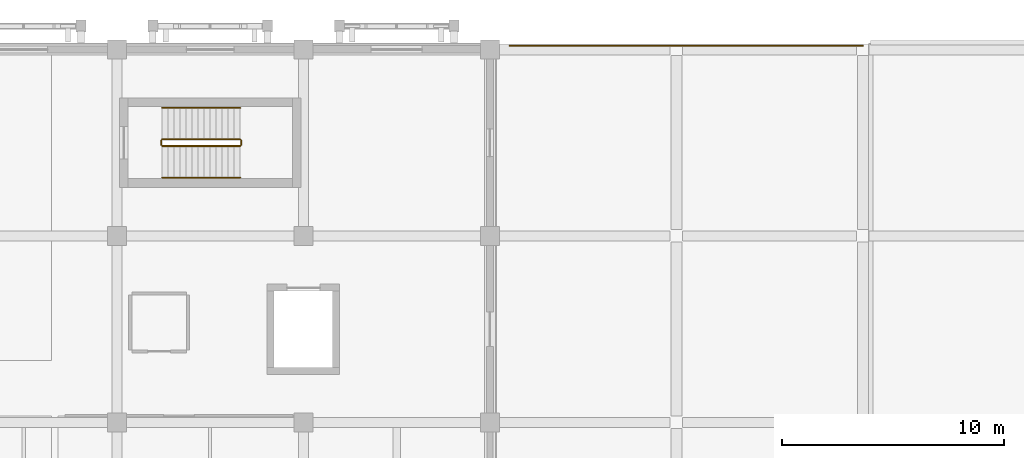
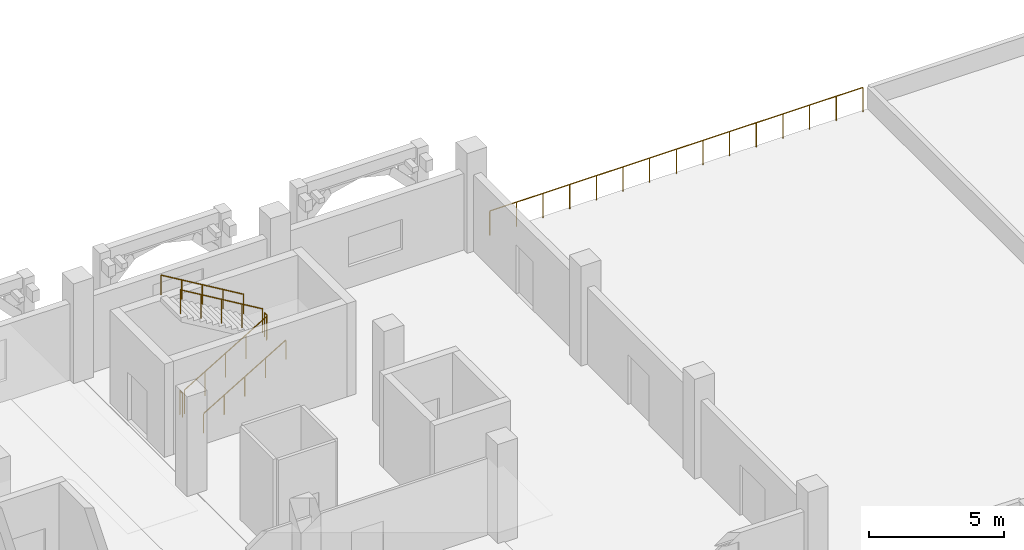
# One storey, part 127 of 129: 7 railings.
"""IFC4 building model written with IfcOpenShell, lengths in metres."""

import ifcopenshell
import ifcopenshell.guid

model = None  # the IFC model being written
_history = None  # IfcOwnerHistory: only IFC2X3 demands one
_inside = {}  # id of a spatial element -> (the spatial element, [elements in it])
_under = {}  # id of a project, library or spatial element -> (it, [spatial elements below it])
_declared = {}  # id of a project -> (the project, [libraries it declares])
_typed = {}  # id of a type object -> (the type object, [elements of that type])
_made_of = {}  # id of a material, layer set ... -> (it, [elements and type objects made of it])


def new_model(schema):
    """Start an empty IFC model of exactly this schema.

    Asked for "IFC4X3", IfcOpenShell would pick the latest addendum, in which some entities
    have other attributes; the version numbers below select the first issue.
    IFC2X3 requires an IfcOwnerHistory on every rooted entity: one is made here for all.
    """
    global model, _history
    if schema == "IFC4X3":
        model = ifcopenshell.file(schema_version=(4, 3, 0, 0))
    else:
        model = ifcopenshell.file(schema=schema)
    _inside.clear()
    _under.clear()
    _declared.clear()
    _typed.clear()
    _made_of.clear()
    _history = None
    if model.schema == "IFC2X3":
        org = make("IfcOrganization", Name="unknown")
        user = make(
            "IfcPersonAndOrganization",
            ThePerson=make("IfcPerson", FamilyName="unknown"),
            TheOrganization=org,
        )
        app = make(
            "IfcApplication",
            ApplicationDeveloper=org,
            Version="unknown",
            ApplicationFullName="unknown",
            ApplicationIdentifier="unknown",
        )
        _history = make(
            "IfcOwnerHistory",
            OwningUser=user,
            OwningApplication=app,
            ChangeAction="ADDED",
            CreationDate=0,
        )
    return model


def make(cls, **values):
    """One entity of the class cls with the attributes given. An attribute that is None is left unset."""
    return model.create_entity(
        cls, **{name: value for name, value in values.items() if value is not None}
    )


def rooted(cls, **values):
    """An entity with a GlobalId (a new one), such as an element, a storey or a relation."""
    return make(cls, GlobalId=ifcopenshell.guid.new(), OwnerHistory=_history, **values)


def si_unit(unit_type, name, prefix=None):
    """IfcSIUnit, for example si_unit("LENGTHUNIT", "METRE", prefix="MILLI")."""
    return make("IfcSIUnit", UnitType=unit_type, Prefix=prefix, Name=name)


def assignment(units):
    """IfcUnitAssignment: the units of a project."""
    return None if units is None else make("IfcUnitAssignment", Units=units)


def point(xyz):
    """IfcCartesianPoint."""
    return None if xyz is None else make("IfcCartesianPoint", Coordinates=xyz)


def direction(xyz):
    """IfcDirection."""
    return None if xyz is None else make("IfcDirection", DirectionRatios=xyz)


def frame(location, z_axis=None, x_axis=None):
    """IfcAxis2Placement3D, a coordinate frame: its origin and axes. An axis left out is left unset."""
    return make(
        "IfcAxis2Placement3D",
        Location=point(location),
        Axis=direction(z_axis),
        RefDirection=direction(x_axis),
    )


def frame_2d(location, x_axis=None):
    """IfcAxis2Placement2D, a coordinate frame in the plane: its origin and x axis."""
    return make(
        "IfcAxis2Placement2D", Location=point(location), RefDirection=direction(x_axis)
    )


def origin():
    """The frame at (0, 0, 0) with its axes left unset."""
    return frame((0.0, 0.0, 0.0))


def origin_2d():
    """The frame at (0, 0) in the plane with its x axis left unset."""
    return frame_2d((0.0, 0.0))


def place(relative_to, where):
    """IfcLocalPlacement: puts the frame where relative to a parent placement (None: the world)."""
    return make(
        "IfcLocalPlacement", PlacementRelTo=relative_to, RelativePlacement=where
    )


def context(
    kind, dimensions, precision=None, world=None, true_north=None, identifier=None
):
    """IfcGeometricRepresentationContext, for example the 3D "Model" context."""
    return make(
        "IfcGeometricRepresentationContext",
        ContextIdentifier=identifier,
        ContextType=kind,
        CoordinateSpaceDimension=dimensions,
        Precision=precision,
        WorldCoordinateSystem=world,
        TrueNorth=true_north,
    )


def subcontext(parent, identifier, kind, view, scale=None):
    """IfcGeometricRepresentationSubContext, for example "Body" below "Model"."""
    return make(
        "IfcGeometricRepresentationSubContext",
        ContextIdentifier=identifier,
        ContextType=kind,
        ParentContext=parent,
        TargetScale=scale,
        TargetView=view,
    )


def project(units=None, contexts=None):
    """IfcProject with its units and contexts."""
    return rooted(
        "IfcProject",
        Name="project",
        RepresentationContexts=contexts,
        UnitsInContext=assignment(units),
    )


def spatial(cls, under=None, at=None, **own):
    """A site, building, storey or space (cls), placed at a placement, below another one or the project."""
    s = rooted(cls, ObjectPlacement=at, **own)
    if under is not None:
        _under.setdefault(under.id(), (under, []))[1].append(s)
    return s


def profile(cls, at=None, kind="AREA", **sizes):
    """A parametric profile (cls). Its sizes go by their IFC names, for example OverallWidth=200.0."""
    return make(cls, ProfileType=kind, Position=at, **sizes)


def circle(**sizes):
    """IfcCircleProfileDef."""
    return profile("IfcCircleProfileDef", **sizes)


def extrude(swept, where, along, depth):
    """IfcExtrudedAreaSolid: the profile swept, set in the frame where, extruded along a direction by depth."""
    return make(
        "IfcExtrudedAreaSolid",
        SweptArea=swept,
        Position=where,
        ExtrudedDirection=direction(along),
        Depth=depth,
    )


def shape(context_of_items, identifier, shape_type, items):
    """IfcShapeRepresentation: the items that make up one representation, for example the "Body"."""
    return make(
        "IfcShapeRepresentation",
        ContextOfItems=context_of_items,
        RepresentationIdentifier=identifier,
        RepresentationType=shape_type,
        Items=items,
    )


def material(Name=None, Category=None):
    """IfcMaterial."""
    return make("IfcMaterial", Name=Name, Category=Category)


def made_of(thing, what):
    """Note that an element or type object is made of a material, layer set ...; save() writes the relation."""
    if what is not None:
        _made_of.setdefault(what.id(), (what, []))[1].append(thing)
    return thing


def type_object(cls, material=None, **own):
    """A type object (cls), such as IfcWallType, which elements share."""
    return made_of(rooted(cls, **own), material)


def element(
    cls,
    number,
    at=None,
    inside=None,
    cuts=None,
    type_object=None,
    material=None,
    context=None,
    identifier="Body",
    shape_type=None,
    held_by="IfcProductDefinitionShape",
    body=None,
    shapes=None,
    **own,
):
    """One element of the class cls, such as IfcWall. Its Tag is "e" and its number.

    at: its placement. inside: the storey or other place that contains it. cuts: it is an
    opening in that element (IfcRelVoidsElement). A single representation is given by context,
    identifier, shape_type and body (its items); several are given by shapes. held_by: the class
    of the entity that holds the representations. save() writes the other relations.
    """
    e = rooted(cls, Tag="e%d" % number, ObjectPlacement=at, **own)
    if body is not None:
        shapes = [shape(context, identifier, shape_type, body)]
    if shapes is not None:
        e.Representation = make(held_by, Representations=shapes)
    if inside is not None:
        _inside.setdefault(inside.id(), (inside, []))[1].append(e)
    if cuts is not None:
        rooted(
            "IfcRelVoidsElement", RelatingBuildingElement=cuts, RelatedOpeningElement=e
        )
    if type_object is not None:
        _typed.setdefault(type_object.id(), (type_object, []))[1].append(e)
    return made_of(e, material)


def aggregate(whole, parts):
    """IfcRelAggregates: a whole, such as a stair, and the parts it consists of."""
    return rooted("IfcRelAggregates", RelatingObject=whole, RelatedObjects=parts)


def save(model, path):
    """Write the relations noted so far, then the file.

    IfcRelAggregates (storeys below a building ...), IfcRelContainedInSpatialStructure (elements
    in a storey), IfcRelDefinesByType, IfcRelAssociatesMaterial and IfcRelDeclares: one each for
    every whole, place, type object, material and project.
    """
    for whole, parts in _under.values():
        aggregate(whole, parts)
    for where, things in _inside.values():
        rooted(
            "IfcRelContainedInSpatialStructure",
            RelatedElements=things,
            RelatingStructure=where,
        )
    for kind, things in _typed.values():
        rooted("IfcRelDefinesByType", RelatedObjects=things, RelatingType=kind)
    for what, things in _made_of.values():
        rooted("IfcRelAssociatesMaterial", RelatedObjects=things, RelatingMaterial=what)
    for by, libraries in _declared.values():
        rooted("IfcRelDeclares", RelatingContext=by, RelatedDefinitions=libraries)
    model.write(path)


model = new_model("IFC4")

# Units and contexts
model_context = context("Model", 3, precision=1e-05, world=origin(), true_north=direction((0.0, 1.0)))
body_context = subcontext(model_context, "Body", "Model", "MODEL_VIEW")
ifc_project = project(units=[si_unit("LENGTHUNIT", "METRE"), si_unit("AREAUNIT", "SQUARE_METRE"), si_unit("VOLUMEUNIT", "CUBIC_METRE"), si_unit("PLANEANGLEUNIT", "RADIAN"), si_unit("MASSUNIT", "GRAM", prefix="KILO")], contexts=[model_context])

# Site, building, storey
site_placement = place(None, origin())
site = spatial("IfcSite", under=ifc_project, at=site_placement, CompositionType="ELEMENT")
building_placement = place(site_placement, origin())
building = spatial("IfcBuilding", under=site, at=building_placement, Name="Xazarin Passage Department Store", CompositionType="ELEMENT")
storey_placement = place(building_placement, frame((0.0, 0.0, 9.89990234375)))
storey = spatial("IfcBuildingStorey", under=building, at=storey_placement, Name="L02", CompositionType="ELEMENT", Elevation=9.89990234375)

# Railings
ifc_material = material(Name="Steel S355", Category="steel")
railing_type_1 = type_object("IfcRailingType", Name="ARC-RL-GRD112", PredefinedType="GUARDRAIL", material=ifc_material)
railing_1_placement = place(storey_placement, frame((145.28076171875, 110.169921875, 0.0)))
element("IfcRailing", 1, at=railing_1_placement, inside=storey, type_object=railing_type_1, Name="L02 Roof Terrace Perimeter Guard 0010", PredefinedType="GUARDRAIL", context=body_context, shape_type="SweptSolid", body=[
    extrude(circle(Radius=0.02392578125, at=origin_2d()), frame((0.0, 0.0, 1.09619140625), z_axis=(1.0, 0.0, 0.0), x_axis=(0.0, 1.0, 0.0)), (0.0, 0.0, 1.0), 15.919189453125),
    extrude(circle(Radius=0.02099609375, at=origin_2d()), origin(), (0.0, 0.0, 1.0), 1.07177734375),
    extrude(circle(Radius=0.02099609375, at=origin_2d()), frame((1.13720703125, 0.0, 0.0)), (0.0, 0.0, 1.0), 1.07177734375),
    extrude(circle(Radius=0.02099609375, at=origin_2d()), frame((2.274169921875, 0.0, 0.0)), (0.0, 0.0, 1.0), 1.07177734375),
    extrude(circle(Radius=0.02099609375, at=origin_2d()), frame((3.4111328125, 0.0, 0.0)), (0.0, 0.0, 1.0), 1.07177734375),
    extrude(circle(Radius=0.02099609375, at=origin_2d()), frame((4.54833984375, 0.0, 0.0)), (0.0, 0.0, 1.0), 1.07177734375),
    extrude(circle(Radius=0.02099609375, at=origin_2d()), frame((5.685546875, 0.0, 0.0)), (0.0, 0.0, 1.0), 1.07177734375),
    extrude(circle(Radius=0.02099609375, at=origin_2d()), frame((6.822509765625, 0.0, 0.0)), (0.0, 0.0, 1.0), 1.07177734375),
    extrude(circle(Radius=0.02099609375, at=origin_2d()), frame((7.95947265625, 0.0, 0.0)), (0.0, 0.0, 1.0), 1.07177734375),
    extrude(circle(Radius=0.02099609375, at=origin_2d()), frame((9.0966796875, 0.0, 0.0)), (0.0, 0.0, 1.0), 1.07177734375),
    extrude(circle(Radius=0.02099609375, at=origin_2d()), frame((10.23388671875, 0.0, 0.0)), (0.0, 0.0, 1.0), 1.07177734375),
    extrude(circle(Radius=0.02099609375, at=origin_2d()), frame((11.370849609375, 0.0, 0.0)), (0.0, 0.0, 1.0), 1.07177734375),
    extrude(circle(Radius=0.02099609375, at=origin_2d()), frame((12.5078125, 0.0, 0.0)), (0.0, 0.0, 1.0), 1.07177734375),
    extrude(circle(Radius=0.02099609375, at=origin_2d()), frame((13.64501953125, 0.0, 0.0)), (0.0, 0.0, 1.0), 1.07177734375),
    extrude(circle(Radius=0.02099609375, at=origin_2d()), frame((14.7822265625, 0.0, 0.0)), (0.0, 0.0, 1.0), 1.07177734375),
    extrude(circle(Radius=0.02099609375, at=origin_2d()), frame((15.919189453125, 0.0, 0.0)), (0.0, 0.0, 1.0), 1.07177734375),
])
railing_2_placement = place(storey_placement, frame((129.639892578125, 105.64990234375, 0.160888671875)))
element("IfcRailing", 2, at=railing_2_placement, inside=storey, type_object=railing_type_1, Name="L02 ST11 stair guard 1", PredefinedType="GUARDRAIL", context=body_context, shape_type="SweptSolid", body=[
    extrude(circle(Radius=0.02392578125, at=origin_2d()), frame((0.0, 0.0, 1.076171875), z_axis=(0.859312273368, 0.0, 0.511451284914), x_axis=(0.0, 1.0, 0.0)), (0.0, 0.0, 1.0), 4.084716796875),
    extrude(circle(Radius=0.02099609375, at=origin_2d()), origin(), (0.0, 0.0, 1.0), 1.0517578125),
    extrude(circle(Radius=0.02099609375, at=origin_2d()), frame((0.87744140625, 0.0, 0.522216796875)), (0.0, 0.0, 1.0), 1.0517578125),
    extrude(circle(Radius=0.02099609375, at=origin_2d()), frame((1.7548828125, 0.0, 1.04443359375)), (0.0, 0.0, 1.0), 1.0517578125),
    extrude(circle(Radius=0.02099609375, at=origin_2d()), frame((2.632568359375, 0.0, 1.56689453125)), (0.0, 0.0, 1.0), 1.0517578125),
    extrude(circle(Radius=0.02099609375, at=origin_2d()), frame((3.510009765625, 0.0, 2.089111328125)), (0.0, 0.0, 1.0), 1.0517578125),
])
railing_3_placement = place(storey_placement, frame((133.199951171875, 105.699951171875, 2.25)))
element("IfcRailing", 3, at=railing_3_placement, inside=storey, type_object=railing_type_1, Name="L02 ST11 stair guard 2", PredefinedType="GUARDRAIL", context=body_context, shape_type="SweptSolid", body=[
    extrude(circle(Radius=0.02392578125, at=origin_2d()), frame((0.0, 0.0, 1.076171875), z_axis=(0.0, 1.0, 0.0), x_axis=(-1.0, 0.0, 0.0)), (0.0, 0.0, 1.0), 0.199951171875),
    extrude(circle(Radius=0.02099609375, at=origin_2d()), origin(), (0.0, 0.0, 1.0), 1.0517578125),
    extrude(circle(Radius=0.02099609375, at=origin_2d()), frame((0.0, 0.199951171875, 0.0)), (0.0, 0.0, 1.0), 1.0517578125),
])
railing_4_placement = place(storey_placement, frame((133.14990234375, 105.949951171875, 2.410888671875)))
element("IfcRailing", 4, at=railing_4_placement, inside=storey, type_object=railing_type_1, Name="L02 ST11 stair guard 3", PredefinedType="GUARDRAIL", context=body_context, shape_type="SweptSolid", body=[
    extrude(circle(Radius=0.02392578125, at=origin_2d()), frame((0.0, 0.0, 1.076171875), z_axis=(-0.859312273368, 0.0, 0.511451284914), x_axis=(0.0, -1.0, 0.0)), (0.0, 0.0, 1.0), 4.084716796875),
    extrude(circle(Radius=0.02099609375, at=origin_2d()), origin(), (0.0, 0.0, 1.0), 1.0517578125),
    extrude(circle(Radius=0.02099609375, at=origin_2d()), frame((-0.87744140625, 0.0, 0.522216796875)), (0.0, 0.0, 1.0), 1.0517578125),
    extrude(circle(Radius=0.02099609375, at=origin_2d()), frame((-1.7548828125, 0.0, 1.04443359375)), (0.0, 0.0, 1.0), 1.0517578125),
    extrude(circle(Radius=0.02099609375, at=origin_2d()), frame((-2.632568359375, 0.0, 1.56689453125)), (0.0, 0.0, 1.0), 1.0517578125),
    extrude(circle(Radius=0.02099609375, at=origin_2d()), frame((-3.510009765625, 0.0, 2.089111328125)), (0.0, 0.0, 1.0), 1.0517578125),
])
railing_5_placement = place(storey_placement, frame((129.590087890625, 105.699951171875, 0.0)))
element("IfcRailing", 5, at=railing_5_placement, inside=storey, type_object=railing_type_1, Name="L02 ST11 stair guard 4", PredefinedType="GUARDRAIL", context=body_context, shape_type="SweptSolid", body=[
    extrude(circle(Radius=0.02392578125, at=origin_2d()), frame((0.0, 0.0, 1.076171875), z_axis=(0.0, 1.0, 0.0), x_axis=(-1.0, 0.0, 0.0)), (0.0, 0.0, 1.0), 0.199951171875),
    extrude(circle(Radius=0.02099609375, at=origin_2d()), origin(), (0.0, 0.0, 1.0), 1.0517578125),
    extrude(circle(Radius=0.02099609375, at=origin_2d()), frame((0.0, 0.199951171875, 0.0)), (0.0, 0.0, 1.0), 1.0517578125),
])
railing_type_2 = type_object("IfcRailingType", Name="ARC-RL-HND090", PredefinedType="HANDRAIL", material=ifc_material)
railing_6_placement = place(storey_placement, frame((129.639892578125, 104.22998046875, 0.160888671875)))
element("IfcRailing", 6, at=railing_6_placement, inside=storey, type_object=railing_type_2, Name="L02 ST11 stair handrail 1", PredefinedType="HANDRAIL", context=body_context, shape_type="SweptSolid", body=[
    extrude(circle(Radius=0.02392578125, at=origin_2d()), frame((0.0, 0.0, 0.8759765625), z_axis=(0.859312273368, 0.0, 0.511451284914), x_axis=(0.0, 1.0, 0.0)), (0.0, 0.0, 1.0), 4.084716796875),
    extrude(circle(Radius=0.02099609375, at=origin_2d()), origin(), (0.0, 0.0, 1.0), 0.8515625),
    extrude(circle(Radius=0.02099609375, at=origin_2d()), frame((0.87744140625, 0.0, 0.522216796875)), (0.0, 0.0, 1.0), 0.8515625),
    extrude(circle(Radius=0.02099609375, at=origin_2d()), frame((1.7548828125, 0.0, 1.04443359375)), (0.0, 0.0, 1.0), 0.8515625),
    extrude(circle(Radius=0.02099609375, at=origin_2d()), frame((2.632568359375, 0.0, 1.56689453125)), (0.0, 0.0, 1.0), 0.8515625),
    extrude(circle(Radius=0.02099609375, at=origin_2d()), frame((3.510009765625, 0.0, 2.089111328125)), (0.0, 0.0, 1.0), 0.8515625),
])
railing_7_placement = place(storey_placement, frame((133.14990234375, 107.3701171875, 2.410888671875)))
element("IfcRailing", 7, at=railing_7_placement, inside=storey, type_object=railing_type_2, Name="L02 ST11 stair handrail 2", PredefinedType="HANDRAIL", context=body_context, shape_type="SweptSolid", body=[
    extrude(circle(Radius=0.02392578125, at=origin_2d()), frame((0.0, 0.0, 0.8759765625), z_axis=(-0.859312273368, 0.0, 0.511451284914), x_axis=(0.0, -1.0, 0.0)), (0.0, 0.0, 1.0), 4.084716796875),
    extrude(circle(Radius=0.02099609375, at=origin_2d()), origin(), (0.0, 0.0, 1.0), 0.8515625),
    extrude(circle(Radius=0.02099609375, at=origin_2d()), frame((-0.87744140625, 0.0, 0.522216796875)), (0.0, 0.0, 1.0), 0.8515625),
    extrude(circle(Radius=0.02099609375, at=origin_2d()), frame((-1.7548828125, 0.0, 1.04443359375)), (0.0, 0.0, 1.0), 0.8515625),
    extrude(circle(Radius=0.02099609375, at=origin_2d()), frame((-2.632568359375, 0.0, 1.56689453125)), (0.0, 0.0, 1.0), 0.8515625),
    extrude(circle(Radius=0.02099609375, at=origin_2d()), frame((-3.510009765625, 0.0, 2.089111328125)), (0.0, 0.0, 1.0), 0.8515625),
])

save(model, "model.ifc")
